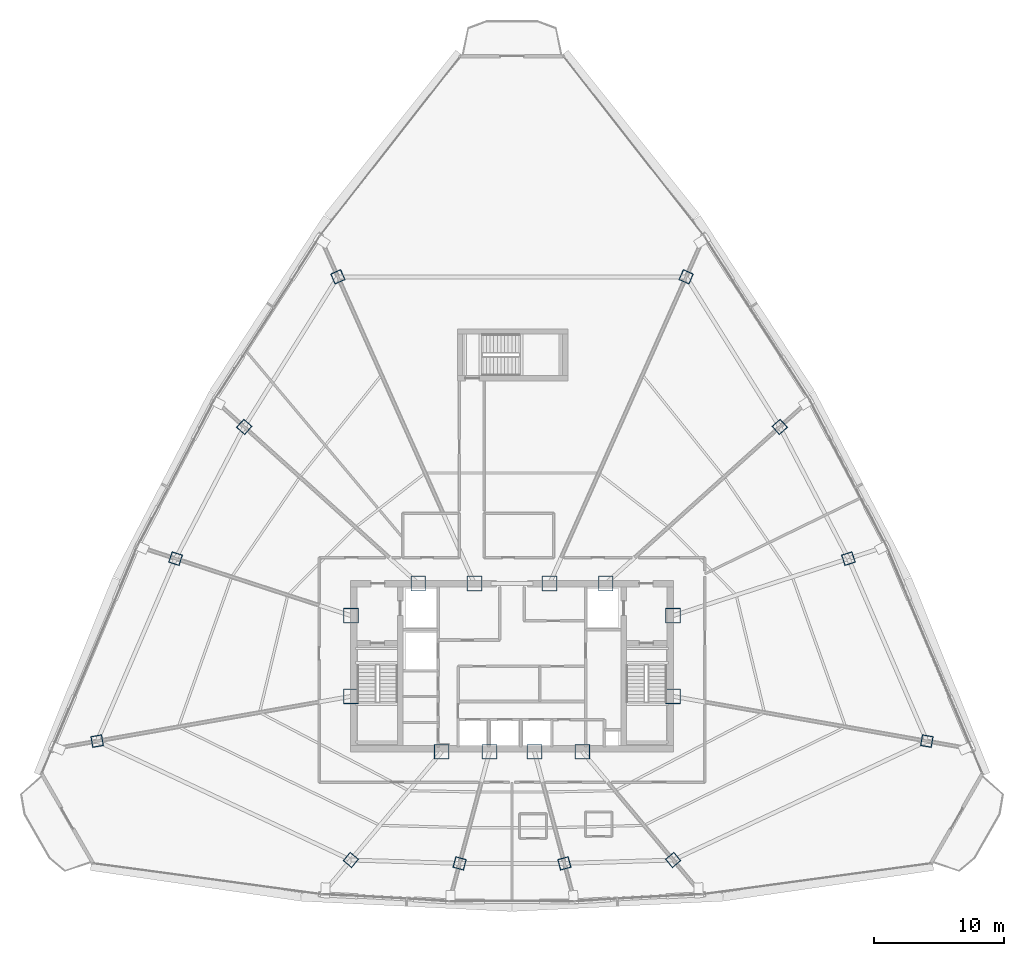
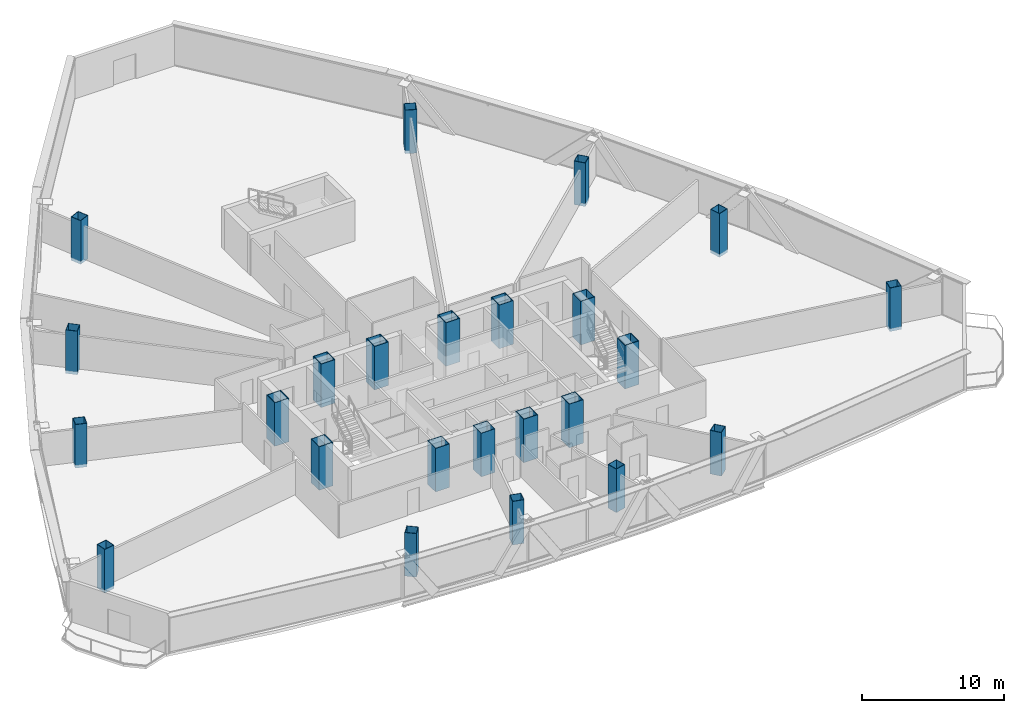
# One storey, part 1 of 35: 24 columns.
"""IFC4 building model written with IfcOpenShell, lengths in metres."""

from ifc_helpers import new_model, si_unit, direction, frame, origin, origin_2d, place, context, subcontext, project, spatial, hollow_rectangle, extrude, source, transform, mapped, material, material_profile, profile_set, type_object, element, save


model = new_model("IFC4")

# Units and contexts
model_context = context("Model", 3, precision=1e-05, world=origin(), true_north=direction((0.0, 1.0)))
body_context = subcontext(model_context, "Body", "Model", "MODEL_VIEW")
ifc_project = project(units=[si_unit("LENGTHUNIT", "METRE"), si_unit("AREAUNIT", "SQUARE_METRE"), si_unit("VOLUMEUNIT", "CUBIC_METRE"), si_unit("PLANEANGLEUNIT", "RADIAN"), si_unit("MASSUNIT", "GRAM", prefix="KILO"), si_unit("THERMODYNAMICTEMPERATUREUNIT", "KELVIN"), si_unit("POWERUNIT", "WATT")], contexts=[model_context])

# Site, building, storey
site_placement = place(None, origin())
site = spatial("IfcSite", under=ifc_project, at=site_placement, CompositionType="ELEMENT")
building_placement = place(site_placement, origin())
building = spatial("IfcBuilding", under=site, at=building_placement, Name="Yunzhuo Pagoda Commons", CompositionType="ELEMENT")
storey_placement = place(building_placement, frame((0.0, 0.0, 237.070068359375)))
storey = spatial("IfcBuildingStorey", under=building, at=storey_placement, Name="L59", CompositionType="ELEMENT", Elevation=237.070068359375)

# Columns
ifc_material_1 = material(Name="Structural steel Q420B", Category="steel")
ifc_material_profile_1 = material_profile(ifc_material_1, hollow_rectangle(XDim=1.14990234375, YDim=1.14990234375, WallThickness=0.048095703125, at=origin_2d()), Name="Structural steel Q420B")
ifc_profile_set_1 = profile_set([ifc_material_profile_1], Name="Structural steel Q420B")
column_type_1 = type_object("IfcColumnType", Name="C-COR Column BOX 1150x1150x48", PredefinedType="COLUMN", material=ifc_profile_set_1)
shared_shape_1 = source(origin(), body_context, "Body", "SweptSolid", [
    extrude(hollow_rectangle(XDim=1.14990234375, YDim=1.14990234375, WallThickness=0.048095703125, at=origin_2d()), origin(), (0.0, 0.0, 1.0), 3.72998046875),
])
for number, where, z_axis, x_axis, name in (
    (1, (42.587890625, 27.25, -0.260009765625), (0.0, 0.0, 1.0), (1.0, 0.0, 0.0), "L59 core composite column F1C1"),
    (2, (46.27197265625, 27.25, -0.260009765625), (0.0, 0.0, 1.0), (1.0, 0.0, 0.0), "L59 core composite column F1C2"),
    (3, (49.728515625, 27.25, -0.260009765625), (0.0, 0.0, 1.0), (1.0, 0.0, 0.0), "L59 core composite column F1C3"),
    (4, (53.412109375, 27.25, -0.260009765625), (0.0, 0.0, 1.0), (1.0, 0.0, 0.0), "L59 core composite column F1C4"),
    (5, (60.39990234375, 31.513427734375, -0.260009765625), (0.0, 0.0, 1.0), (1.0, 0.0, 0.0), "L59 core composite column F2C1"),
    (6, (60.39990234375, 37.72900390625, -0.260009765625), (0.0, 0.0, 1.0), (1.0, 0.0, 0.0), "L59 core composite column F2C2"),
    (7, (55.218994140625, 40.199951171875, -0.260009765625), (0.0, 0.0, 1.0), (1.0, 0.0, 0.0), "L59 core composite column F2C3"),
    (8, (50.89404296875, 40.199951171875, -0.260009765625), (0.0, 0.0, 1.0), (1.0, 0.0, 0.0), "L59 core composite column F2C4"),
    (9, (45.10595703125, 40.199951171875, -0.260009765625), (0.0, 0.0, 1.0), (1.0, 0.0, 0.0), "L59 core composite column F3C1"),
    (10, (40.781005859375, 40.199951171875, -0.260009765625), (0.0, 0.0, 1.0), (1.0, 0.0, 0.0), "L59 core composite column F3C2"),
    (11, (35.60009765625, 37.72900390625, -0.260009765625), (0.0, 0.0, 1.0), (1.0, 0.0, 0.0), "L59 core composite column F3C3"),
    (12, (35.60009765625, 31.513427734375, -0.260009765625), (0.0, 0.0, 1.0), (1.0, 0.0, 0.0), "L59 core composite column F3C4"),
):
    element("IfcColumn", number, at=place(storey_placement, frame(where, z_axis=z_axis, x_axis=x_axis)), inside=storey, type_object=column_type_1, Name=name, PredefinedType="COLUMN", context=body_context, shape_type="MappedRepresentation", body=[
        mapped(shared_shape_1, transform((0.0, 0.0, 0.0), scale=1.0)),
    ])
ifc_material_2 = material(Name="Structural steel Q355B", Category="steel")
ifc_material_profile_2 = material_profile(ifc_material_2, hollow_rectangle(XDim=0.85009765625, YDim=0.85009765625, WallThickness=0.033935546875, at=origin_2d()), Name="Structural steel Q355B")
ifc_profile_set_2 = profile_set([ifc_material_profile_2], Name="Structural steel Q355B")
column_type_2 = type_object("IfcColumnType", Name="C-Z5 Column BOX 850x850x34", PredefinedType="COLUMN", material=ifc_profile_set_2)
shared_shape_2 = source(origin(), body_context, "Body", "SweptSolid", [
    extrude(hollow_rectangle(XDim=0.85009765625, YDim=0.85009765625, WallThickness=0.033935546875, at=origin_2d()), origin(), (0.0, 0.0, 1.0), 3.72998046875),
])
for number, where, z_axis, x_axis, name in (
    (13, (35.593017578125, 18.913818359375, -0.260009765625), (0.0, 0.0, 1.0), (0.766044443119, -0.642787609687, 0.0), "L59 tower column F1C1"),
    (14, (43.968505859375, 18.654052734375, -0.260009765625), (0.0, 0.0, 1.0), (0.965925826289, -0.258819045103, 0.0), "L59 tower column F1C2"),
    (15, (52.031494140625, 18.654052734375, -0.260009765625), (0.0, 0.0, 1.0), (0.965925826289, 0.258819045103, 0.0), "L59 tower column F1C3"),
    (16, (60.406982421875, 18.913818359375, -0.260009765625), (0.0, 0.0, 1.0), (0.766044443119, 0.642787609687, 0.0), "L59 tower column F1C4"),
    (17, (79.93408203125, 28.069091796875, -0.260009765625), (0.0, 0.0, 1.0), (0.173648177667, 0.984807753012, 0.0), "L59 tower column F2C1"),
    (18, (73.898681640625, 42.114990234375, -0.260009765625), (0.0, 0.0, 1.0), (-0.309016994375, 0.951056516295, 0.0), "L59 tower column F2C2"),
    (19, (68.61181640625, 52.259033203125, -0.260009765625), (0.0, 0.0, 1.0), (-0.669130606359, 0.743144825477, 0.0), "L59 tower column F2C3"),
    (20, (61.40673828125, 63.81201171875, -0.260009765625), (0.0, 0.0, 1.0), (-0.913545457643, 0.406736643076, 0.0), "L59 tower column F2C4"),
    (21, (34.59326171875, 63.81201171875, -0.260009765625), (0.0, 0.0, 1.0), (-0.913545457643, -0.406736643076, 0.0), "L59 tower column F3C1"),
    (22, (27.38818359375, 52.259033203125, -0.260009765625), (0.0, 0.0, 1.0), (-0.669130606359, -0.743144825477, 0.0), "L59 tower column F3C2"),
    (23, (22.101806640625, 42.114990234375, -0.260009765625), (0.0, 0.0, 1.0), (-0.309016994375, -0.951056516295, 0.0), "L59 tower column F3C3"),
    (24, (16.06591796875, 28.069091796875, -0.260009765625), (0.0, 0.0, 1.0), (0.173648177667, -0.984807753012, 0.0), "L59 tower column F3C4"),
):
    element("IfcColumn", number, at=place(storey_placement, frame(where, z_axis=z_axis, x_axis=x_axis)), inside=storey, type_object=column_type_2, Name=name, PredefinedType="COLUMN", context=body_context, shape_type="MappedRepresentation", body=[
        mapped(shared_shape_2, transform((0.0, 0.0, 0.0), scale=1.0)),
    ])

save(model, "model.ifc")
